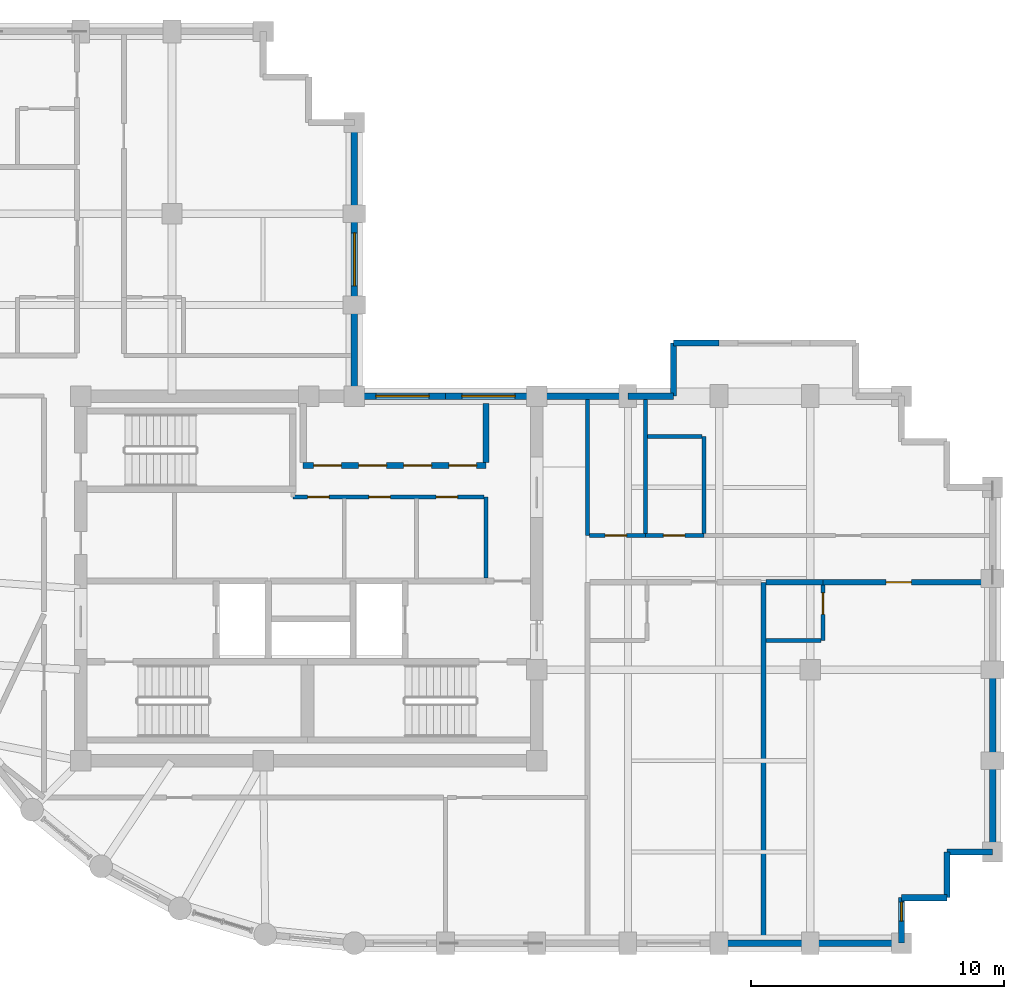
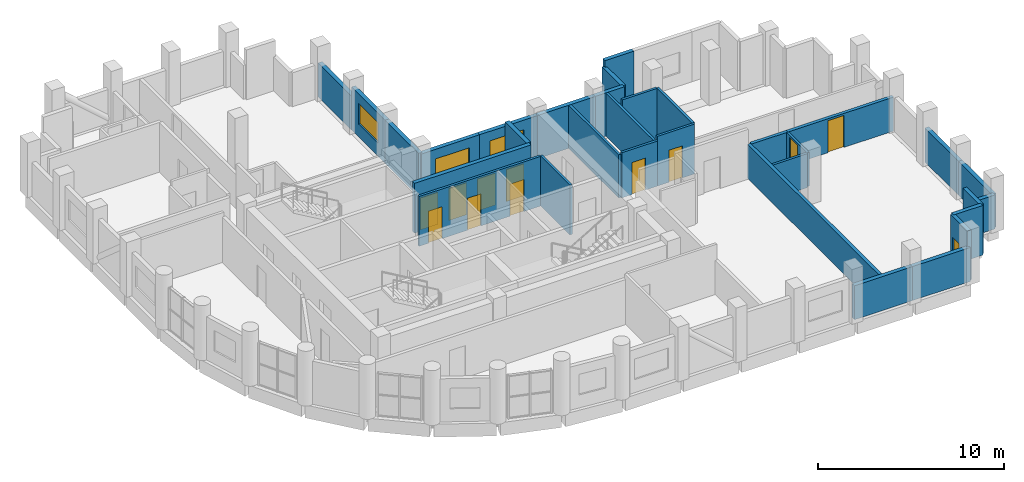
# One storey, part 9 of 11: 32 walls, 11 doors, 4 windows, 15 openings.
"""IFC4 building model written with IfcOpenShell, lengths in metres."""

import ifcopenshell
import ifcopenshell.guid

model = None  # the IFC model being written
_history = None  # IfcOwnerHistory: only IFC2X3 demands one
_inside = {}  # id of a spatial element -> (the spatial element, [elements in it])
_under = {}  # id of a project, library or spatial element -> (it, [spatial elements below it])
_declared = {}  # id of a project -> (the project, [libraries it declares])
_typed = {}  # id of a type object -> (the type object, [elements of that type])
_made_of = {}  # id of a material, layer set ... -> (it, [elements and type objects made of it])


def new_model(schema):
    """Start an empty IFC model of exactly this schema.

    Asked for "IFC4X3", IfcOpenShell would pick the latest addendum, in which some entities
    have other attributes; the version numbers below select the first issue.
    IFC2X3 requires an IfcOwnerHistory on every rooted entity: one is made here for all.
    """
    global model, _history
    if schema == "IFC4X3":
        model = ifcopenshell.file(schema_version=(4, 3, 0, 0))
    else:
        model = ifcopenshell.file(schema=schema)
    _inside.clear()
    _under.clear()
    _declared.clear()
    _typed.clear()
    _made_of.clear()
    _history = None
    if model.schema == "IFC2X3":
        org = make("IfcOrganization", Name="unknown")
        user = make(
            "IfcPersonAndOrganization",
            ThePerson=make("IfcPerson", FamilyName="unknown"),
            TheOrganization=org,
        )
        app = make(
            "IfcApplication",
            ApplicationDeveloper=org,
            Version="unknown",
            ApplicationFullName="unknown",
            ApplicationIdentifier="unknown",
        )
        _history = make(
            "IfcOwnerHistory",
            OwningUser=user,
            OwningApplication=app,
            ChangeAction="ADDED",
            CreationDate=0,
        )
    return model


def make(cls, **values):
    """One entity of the class cls with the attributes given. An attribute that is None is left unset."""
    return model.create_entity(
        cls, **{name: value for name, value in values.items() if value is not None}
    )


def rooted(cls, **values):
    """An entity with a GlobalId (a new one), such as an element, a storey or a relation."""
    return make(cls, GlobalId=ifcopenshell.guid.new(), OwnerHistory=_history, **values)


def si_unit(unit_type, name, prefix=None):
    """IfcSIUnit, for example si_unit("LENGTHUNIT", "METRE", prefix="MILLI")."""
    return make("IfcSIUnit", UnitType=unit_type, Prefix=prefix, Name=name)


def assignment(units):
    """IfcUnitAssignment: the units of a project."""
    return None if units is None else make("IfcUnitAssignment", Units=units)


def point(xyz):
    """IfcCartesianPoint."""
    return None if xyz is None else make("IfcCartesianPoint", Coordinates=xyz)


def direction(xyz):
    """IfcDirection."""
    return None if xyz is None else make("IfcDirection", DirectionRatios=xyz)


def frame(location, z_axis=None, x_axis=None):
    """IfcAxis2Placement3D, a coordinate frame: its origin and axes. An axis left out is left unset."""
    return make(
        "IfcAxis2Placement3D",
        Location=point(location),
        Axis=direction(z_axis),
        RefDirection=direction(x_axis),
    )


def frame_2d(location, x_axis=None):
    """IfcAxis2Placement2D, a coordinate frame in the plane: its origin and x axis."""
    return make(
        "IfcAxis2Placement2D", Location=point(location), RefDirection=direction(x_axis)
    )


def origin():
    """The frame at (0, 0, 0) with its axes left unset."""
    return frame((0.0, 0.0, 0.0))


def place(relative_to, where):
    """IfcLocalPlacement: puts the frame where relative to a parent placement (None: the world)."""
    return make(
        "IfcLocalPlacement", PlacementRelTo=relative_to, RelativePlacement=where
    )


def context(
    kind, dimensions, precision=None, world=None, true_north=None, identifier=None
):
    """IfcGeometricRepresentationContext, for example the 3D "Model" context."""
    return make(
        "IfcGeometricRepresentationContext",
        ContextIdentifier=identifier,
        ContextType=kind,
        CoordinateSpaceDimension=dimensions,
        Precision=precision,
        WorldCoordinateSystem=world,
        TrueNorth=true_north,
    )


def subcontext(parent, identifier, kind, view, scale=None):
    """IfcGeometricRepresentationSubContext, for example "Body" below "Model"."""
    return make(
        "IfcGeometricRepresentationSubContext",
        ContextIdentifier=identifier,
        ContextType=kind,
        ParentContext=parent,
        TargetScale=scale,
        TargetView=view,
    )


def project(units=None, contexts=None):
    """IfcProject with its units and contexts."""
    return rooted(
        "IfcProject",
        Name="project",
        RepresentationContexts=contexts,
        UnitsInContext=assignment(units),
    )


def spatial(cls, under=None, at=None, **own):
    """A site, building, storey or space (cls), placed at a placement, below another one or the project."""
    s = rooted(cls, ObjectPlacement=at, **own)
    if under is not None:
        _under.setdefault(under.id(), (under, []))[1].append(s)
    return s


def profile(cls, at=None, kind="AREA", **sizes):
    """A parametric profile (cls). Its sizes go by their IFC names, for example OverallWidth=200.0."""
    return make(cls, ProfileType=kind, Position=at, **sizes)


def rectangle(**sizes):
    """IfcRectangleProfileDef."""
    return profile("IfcRectangleProfileDef", **sizes)


def extrude(swept, where, along, depth):
    """IfcExtrudedAreaSolid: the profile swept, set in the frame where, extruded along a direction by depth."""
    return make(
        "IfcExtrudedAreaSolid",
        SweptArea=swept,
        Position=where,
        ExtrudedDirection=direction(along),
        Depth=depth,
    )


def shape(context_of_items, identifier, shape_type, items):
    """IfcShapeRepresentation: the items that make up one representation, for example the "Body"."""
    return make(
        "IfcShapeRepresentation",
        ContextOfItems=context_of_items,
        RepresentationIdentifier=identifier,
        RepresentationType=shape_type,
        Items=items,
    )


def material(Name=None, Category=None):
    """IfcMaterial."""
    return make("IfcMaterial", Name=Name, Category=Category)


def layer(
    of_material, thickness, ventilated=None, Name=None, Category=None, Priority=None
):
    """IfcMaterialLayer: one layer of a wall or slab, of a material (None: an air gap)."""
    return make(
        "IfcMaterialLayer",
        Material=of_material,
        LayerThickness=thickness,
        IsVentilated=ventilated,
        Name=Name,
        Category=Category,
        Priority=Priority,
    )


def layer_set(layers, Name=None):
    """IfcMaterialLayerSet."""
    return make("IfcMaterialLayerSet", MaterialLayers=layers, LayerSetName=Name)


def made_of(thing, what):
    """Note that an element or type object is made of a material, layer set ...; save() writes the relation."""
    if what is not None:
        _made_of.setdefault(what.id(), (what, []))[1].append(thing)
    return thing


def type_object(cls, material=None, **own):
    """A type object (cls), such as IfcWallType, which elements share."""
    return made_of(rooted(cls, **own), material)


def element(
    cls,
    number,
    at=None,
    inside=None,
    cuts=None,
    type_object=None,
    material=None,
    context=None,
    identifier="Body",
    shape_type=None,
    held_by="IfcProductDefinitionShape",
    body=None,
    shapes=None,
    **own,
):
    """One element of the class cls, such as IfcWall. Its Tag is "e" and its number.

    at: its placement. inside: the storey or other place that contains it. cuts: it is an
    opening in that element (IfcRelVoidsElement). A single representation is given by context,
    identifier, shape_type and body (its items); several are given by shapes. held_by: the class
    of the entity that holds the representations. save() writes the other relations.
    """
    e = rooted(cls, Tag="e%d" % number, ObjectPlacement=at, **own)
    if body is not None:
        shapes = [shape(context, identifier, shape_type, body)]
    if shapes is not None:
        e.Representation = make(held_by, Representations=shapes)
    if inside is not None:
        _inside.setdefault(inside.id(), (inside, []))[1].append(e)
    if cuts is not None:
        rooted(
            "IfcRelVoidsElement", RelatingBuildingElement=cuts, RelatedOpeningElement=e
        )
    if type_object is not None:
        _typed.setdefault(type_object.id(), (type_object, []))[1].append(e)
    return made_of(e, material)


def fill(opening, filler):
    """IfcRelFillsElement: the door or window that sits in an opening."""
    return rooted(
        "IfcRelFillsElement",
        RelatingOpeningElement=opening,
        RelatedBuildingElement=filler,
    )


def aggregate(whole, parts):
    """IfcRelAggregates: a whole, such as a stair, and the parts it consists of."""
    return rooted("IfcRelAggregates", RelatingObject=whole, RelatedObjects=parts)


def save(model, path):
    """Write the relations noted so far, then the file.

    IfcRelAggregates (storeys below a building ...), IfcRelContainedInSpatialStructure (elements
    in a storey), IfcRelDefinesByType, IfcRelAssociatesMaterial and IfcRelDeclares: one each for
    every whole, place, type object, material and project.
    """
    for whole, parts in _under.values():
        aggregate(whole, parts)
    for where, things in _inside.values():
        rooted(
            "IfcRelContainedInSpatialStructure",
            RelatedElements=things,
            RelatingStructure=where,
        )
    for kind, things in _typed.values():
        rooted("IfcRelDefinesByType", RelatedObjects=things, RelatingType=kind)
    for what, things in _made_of.values():
        rooted("IfcRelAssociatesMaterial", RelatedObjects=things, RelatingMaterial=what)
    for by, libraries in _declared.values():
        rooted("IfcRelDeclares", RelatingContext=by, RelatedDefinitions=libraries)
    model.write(path)


model = new_model("IFC4")

# Units and contexts
model_context = context("Model", 3, precision=1e-05, world=origin(), true_north=direction((0.0, 1.0)))
body_context = subcontext(model_context, "Body", "Model", "MODEL_VIEW")
ifc_project = project(units=[si_unit("LENGTHUNIT", "METRE"), si_unit("AREAUNIT", "SQUARE_METRE"), si_unit("VOLUMEUNIT", "CUBIC_METRE"), si_unit("PLANEANGLEUNIT", "RADIAN"), si_unit("MASSUNIT", "GRAM", prefix="KILO")], contexts=[model_context])

# Site, building, storey
site_placement = place(None, origin())
site = spatial("IfcSite", under=ifc_project, at=site_placement, CompositionType="ELEMENT")
building_placement = place(site_placement, origin())
building = spatial("IfcBuilding", under=site, at=building_placement, Name="Solnavia Interchange Tower", CompositionType="ELEMENT")
storey_placement = place(building_placement, frame((0.0, 0.0, 217.39990234375)))
storey = spatial("IfcBuildingStorey", under=building, at=storey_placement, Name="L54", CompositionType="ELEMENT", Elevation=217.39990234375)

# Walls
ifc_material_1 = material(Name="Gypsum Acoustic Twin-Stud & Mineral Wool", Category="gypsum")
ifc_layer_1 = layer(ifc_material_1, 0.199951171875)
ifc_layer_set_1 = layer_set([ifc_layer_1], Name="Gypsum Acoustic Twin-Stud & Mineral Wool")
wall_type_1 = type_object("IfcWallType", Name="Wall-ApartmentParty-200", PredefinedType="PARTITIONING", material=ifc_layer_set_1)
wall_1_placement = place(storey_placement, frame((41.35009765625, 3.72900390625, 0.0), z_axis=(0.0, 0.0, 1.0), x_axis=(0.0, 1.0, 0.0)))
element("IfcWall", 1, at=wall_1_placement, inside=storey, type_object=wall_type_1, Name="PTW-L54-16 Interior partition wall", PredefinedType="PARTITIONING", context=body_context, shape_type="SweptSolid", body=[
    extrude(rectangle(XDim=14.12109375, YDim=0.199951171875, at=frame_2d((7.060546875, 0.0))), origin(), (0.0, 0.0, 1.0), 2.22998046875),
])
wall_2_placement = place(storey_placement, frame((41.4541015625, 17.85009765625, 0.0), z_axis=(0.0, 0.0, 1.0), x_axis=(1.0, 0.0, 0.0)))
element("IfcWall", 2, at=wall_2_placement, inside=storey, type_object=wall_type_1, Name="PTW-L54-21 Interior partition wall", PredefinedType="PARTITIONING", context=body_context, shape_type="SweptSolid", body=[
    extrude(rectangle(XDim=2.245849609375, YDim=0.199951171875, at=frame_2d((1.123046875, 0.0))), origin(), (0.0, 0.0, 1.0), 2.22998046875),
])

# Wall, opening, door
wall_3_placement = place(storey_placement, frame((43.699951171875, 17.85009765625, 0.0), z_axis=(0.0, 0.0, 1.0), x_axis=(1.0, 0.0, 0.0)))
wall_3 = element("IfcWall", 3, at=wall_3_placement, inside=storey, type_object=wall_type_1, Name="PTW-L54-22 Interior partition wall", PredefinedType="PARTITIONING", context=body_context, shape_type="SweptSolid", body=[
    extrude(rectangle(XDim=6.571044921875, YDim=0.199951171875, at=frame_2d((3.28564453125, 0.0))), origin(), (0.0, 0.0, 1.0), 2.22998046875),
])
opening_1_placement = place(wall_3_placement, frame((2.493896484375, 0.0, 0.0)))
opening_1 = element("IfcOpeningElement", 4, at=opening_1_placement, cuts=wall_3, Name="Opening DR-06", PredefinedType="OPENING", context=body_context, shape_type="SweptSolid", body=[
    extrude(rectangle(XDim=1.0, YDim=2.10009765625, at=frame_2d((0.5, 1.050048828125))), frame((0.0, 0.10986328125, 0.0), z_axis=(0.0, -1.0, 0.0), x_axis=(1.0, 0.0, 0.0)), (0.0, 0.0, 1.0), 0.219970703125),
])
ifc_material_2 = material(Name="Engineered Timber Acoustic Fire Door", Category="wood")
door_type_1 = type_object("IfcDoorType", Name="Door-FlatEntry-1000x2100", OperationType="SINGLE_SWING_LEFT", PredefinedType="DOOR", material=ifc_material_2)
door_1_placement = place(opening_1_placement, origin())
door_1 = element("IfcDoor", 5, at=door_1_placement, inside=storey, type_object=door_type_1, Name="DR-L54-09 Interior room door", OperationType="SINGLE_SWING_LEFT", OverallHeight=2.10009765625, OverallWidth=1.0, PredefinedType="DOOR", context=body_context, shape_type="SweptSolid", body=[
    extrude(rectangle(XDim=1.0, YDim=2.10009765625, at=frame_2d((0.5, 1.050048828125))), frame((0.0, 0.02490234375, 0.0), z_axis=(0.0, -1.0, 0.0), x_axis=(1.0, 0.0, 0.0)), (0.0, 0.0, 1.0), 0.050048828125),
])
fill(opening_1, door_1)

# Walls
ifc_material_3 = material(Name="Concrete C40/50", Category="concrete")
ifc_layer_2 = layer(ifc_material_3, 0.25)
ifc_layer_set_2 = layer_set([ifc_layer_2], Name="Concrete C40/50")
wall_type_2 = type_object("IfcWallType", Name="Wall-ExtSpandrel-250", PredefinedType="STANDARD", material=ifc_layer_set_2)
wall_4_placement = place(storey_placement, frame((43.199951171875, 3.60009765625, 0.0), z_axis=(0.0, 0.0, 1.0), x_axis=(-1.0, 0.0, 0.0)))
element("IfcWall", 6, at=wall_4_placement, inside=storey, type_object=wall_type_2, Name="EXW-L54-05 Exterior precast spandrel wall", PredefinedType="STANDARD", context=body_context, shape_type="SweptSolid", body=[
    extrude(rectangle(XDim=3.599853515625, YDim=0.25, at=frame_2d((1.7998046875, 0.0))), origin(), (0.0, 0.0, 1.0), 2.22998046875),
])
wall_5_placement = place(storey_placement, frame((46.800048828125, 3.60009765625, 0.0), z_axis=(0.0, 0.0, 1.0), x_axis=(-1.0, 0.0, 0.0)))
element("IfcWall", 7, at=wall_5_placement, inside=storey, type_object=wall_type_2, Name="EXW-L54-06 Exterior precast spandrel wall", PredefinedType="STANDARD", context=body_context, shape_type="SweptSolid", body=[
    extrude(rectangle(XDim=3.60009765625, YDim=0.25, at=frame_2d((1.800048828125, 0.0))), origin(), (0.0, 0.0, 1.0), 2.22998046875),
])

# Wall, opening, window
wall_6_placement = place(storey_placement, frame((46.800048828125, 5.39990234375, 0.0), z_axis=(0.0, 0.0, 1.0), x_axis=(0.0, -1.0, 0.0)))
wall_6 = element("IfcWall", 8, at=wall_6_placement, inside=storey, type_object=wall_type_2, Name="EXW-L54-07 Exterior precast spandrel wall", PredefinedType="STANDARD", context=body_context, shape_type="SweptSolid", body=[
    extrude(rectangle(XDim=1.7998046875, YDim=0.25, at=frame_2d((0.89990234375, 0.0))), origin(), (0.0, 0.0, 1.0), 3.26513671875),
])
opening_2_placement = place(wall_6_placement, frame((0.179931640625, 0.0, 0.85009765625)))
opening_2 = element("IfcOpeningElement", 9, at=opening_2_placement, cuts=wall_6, Name="Opening WIN-08", PredefinedType="OPENING", context=body_context, shape_type="SweptSolid", body=[
    extrude(rectangle(XDim=0.75, YDim=1.050048828125, at=frame_2d((0.375, 0.52490234375))), frame((0.0, 0.135009765625, 0.0), z_axis=(0.0, -1.0, 0.0), x_axis=(1.0, 0.0, 0.0)), (0.0, 0.0, 1.0), 0.27001953125),
])
ifc_material_4 = material(Name="Thermal-Break Aluminium & Low-E Glass", Category="aluminium")
window_type_1 = type_object("IfcWindowType", Name="Window-Bedroom-750x1050", PartitioningType="SINGLE_PANEL", PredefinedType="WINDOW", material=ifc_material_4)
window_1_placement = place(opening_2_placement, origin())
window_1 = element("IfcWindow", 10, at=window_1_placement, inside=storey, type_object=window_type_1, Name="WIN-L54-DW01 Dwelling bedroom window", OverallHeight=1.050048828125, OverallWidth=0.75, PartitioningType="SINGLE_PANEL", PredefinedType="WINDOW", context=body_context, shape_type="SweptSolid", body=[
    extrude(rectangle(XDim=0.75, YDim=1.050048828125, at=frame_2d((0.375, 0.52490234375))), frame((0.0, 0.030029296875, 0.0), z_axis=(0.0, -1.0, 0.0), x_axis=(1.0, 0.0, 0.0)), (0.0, 0.0, 1.0), 0.06005859375),
])
fill(opening_2, window_1)

# Walls
for number, where, z_axis, x_axis, name in (
    (11, (48.60009765625, 5.39990234375, 0.0), (0.0, 0.0, 1.0), (-1.0, 0.0, 0.0), "EXW-L54-08 Exterior precast spandrel wall"),
    (12, (48.60009765625, 7.199951171875, 0.0), (0.0, 0.0, 1.0), (0.0, -1.0, 0.0), "EXW-L54-09 Exterior precast spandrel wall"),
):
    element("IfcWall", number, at=place(storey_placement, frame(where, z_axis=z_axis, x_axis=x_axis)), inside=storey, type_object=wall_type_2, Name=name, PredefinedType="STANDARD", context=body_context, shape_type="SweptSolid", body=[
        extrude(rectangle(XDim=1.800048828125, YDim=0.25, at=frame_2d((0.89990234375, 0.0))), origin(), (0.0, 0.0, 1.0), 3.26513671875),
    ])
wall_7_placement = place(storey_placement, frame((50.39990234375, 7.199951171875, 0.0), z_axis=(0.0, 0.0, 1.0), x_axis=(-1.0, 0.0, 0.0)))
element("IfcWall", 13, at=wall_7_placement, inside=storey, type_object=wall_type_2, Name="EXW-L54-10 Exterior precast spandrel wall", PredefinedType="STANDARD", context=body_context, shape_type="SweptSolid", body=[
    extrude(rectangle(XDim=1.7998046875, YDim=0.25, at=frame_2d((0.89990234375, 0.0))), origin(), (0.0, 0.0, 1.0), 2.22998046875),
])
wall_8_placement = place(storey_placement, frame((50.39990234375, 10.800048828125, 0.0), z_axis=(0.0, 0.0, 1.0), x_axis=(0.0, -1.0, 0.0)))
element("IfcWall", 14, at=wall_8_placement, inside=storey, type_object=wall_type_2, Name="EXW-L54-11 Exterior precast spandrel wall", PredefinedType="STANDARD", context=body_context, shape_type="SweptSolid", body=[
    extrude(rectangle(XDim=3.60009765625, YDim=0.25, at=frame_2d((1.800048828125, 0.0))), origin(), (0.0, 0.0, 1.0), 2.22998046875),
])
wall_9_placement = place(storey_placement, frame((50.39990234375, 14.39990234375, 0.0), z_axis=(0.0, 0.0, 1.0), x_axis=(0.0, -1.0, 0.0)))
element("IfcWall", 15, at=wall_9_placement, inside=storey, type_object=wall_type_2, Name="EXW-L54-12 Exterior precast spandrel wall", PredefinedType="STANDARD", context=body_context, shape_type="SweptSolid", body=[
    extrude(rectangle(XDim=3.599853515625, YDim=0.25, at=frame_2d((1.7998046875, 0.0))), origin(), (0.0, 0.0, 1.0), 2.22998046875),
])
wall_10_placement = place(storey_placement, frame((37.800048828125, 27.300048828125, 0.0), z_axis=(0.0, 0.0, 1.0), x_axis=(1.0, 0.0, 0.0)))
element("IfcWall", 16, at=wall_10_placement, inside=storey, type_object=wall_type_2, Name="EXW-L54-23 Exterior precast spandrel wall", PredefinedType="STANDARD", context=body_context, shape_type="SweptSolid", body=[
    extrude(rectangle(XDim=1.800048828125, YDim=0.25, at=frame_2d((0.89990234375, 0.0))), origin(), (0.0, 0.0, 1.0), 3.26513671875),
])
wall_11_placement = place(storey_placement, frame((37.800048828125, 27.300048828125, 0.0), z_axis=(0.0, 0.0, 1.0), x_axis=(0.0, -1.0, 0.0)))
element("IfcWall", 17, at=wall_11_placement, inside=storey, type_object=wall_type_2, Name="EXW-L54-24 Exterior precast spandrel wall", PredefinedType="STANDARD", context=body_context, shape_type="SweptSolid", body=[
    extrude(rectangle(XDim=2.10009765625, YDim=0.25, at=frame_2d((1.050048828125, 0.0))), origin(), (0.0, 0.0, 1.0), 2.830078125),
])
wall_12_placement = place(storey_placement, frame((36.0, 25.199951171875, 0.0), z_axis=(0.0, 0.0, 1.0), x_axis=(1.0, 0.0, 0.0)))
element("IfcWall", 18, at=wall_12_placement, inside=storey, type_object=wall_type_2, Name="EXW-L54-25 Exterior precast spandrel wall", PredefinedType="STANDARD", context=body_context, shape_type="SweptSolid", body=[
    extrude(rectangle(XDim=1.800048828125, YDim=0.25, at=frame_2d((0.89990234375, 0.0))), origin(), (0.0, 0.0, 1.0), 2.830078125),
])
wall_13_placement = place(storey_placement, frame((32.39990234375, 25.199951171875, 0.0), z_axis=(0.0, 0.0, 1.0), x_axis=(1.0, 0.0, 0.0)))
element("IfcWall", 19, at=wall_13_placement, inside=storey, type_object=wall_type_2, Name="EXW-L54-26 Exterior precast spandrel wall", PredefinedType="STANDARD", context=body_context, shape_type="SweptSolid", body=[
    extrude(rectangle(XDim=3.60009765625, YDim=0.25, at=frame_2d((1.800048828125, 0.0))), origin(), (0.0, 0.0, 1.0), 2.830078125),
])

# Wall, opening, window
wall_14_placement = place(storey_placement, frame((28.800048828125, 25.199951171875, 0.0), z_axis=(0.0, 0.0, 1.0), x_axis=(1.0, 0.0, 0.0)))
wall_14 = element("IfcWall", 20, at=wall_14_placement, inside=storey, type_object=wall_type_2, Name="EXW-L54-27 Exterior precast spandrel wall", PredefinedType="STANDARD", context=body_context, shape_type="SweptSolid", body=[
    extrude(rectangle(XDim=3.599853515625, YDim=0.25, at=frame_2d((1.7998046875, 0.0))), origin(), (0.0, 0.0, 1.0), 2.830078125),
])
opening_3_placement = place(wall_14_placement, frame((0.64501953125, 0.0, 0.85009765625)))
opening_3 = element("IfcOpeningElement", 21, at=opening_3_placement, cuts=wall_14, Name="Opening WIN-01", PredefinedType="OPENING", context=body_context, shape_type="SweptSolid", body=[
    extrude(rectangle(XDim=2.10009765625, YDim=1.35009765625, at=frame_2d((1.050048828125, 0.675048828125))), frame((0.0, 0.135009765625, 0.0), z_axis=(0.0, -1.0, 0.0), x_axis=(1.0, 0.0, 0.0)), (0.0, 0.0, 1.0), 0.27001953125),
])
window_type_2 = type_object("IfcWindowType", Name="Window-Ribbon-2100x1350", PartitioningType="SINGLE_PANEL", PredefinedType="WINDOW", material=ifc_material_4)
window_2_placement = place(opening_3_placement, origin())
window_2 = element("IfcWindow", 22, at=window_2_placement, inside=storey, type_object=window_type_2, Name="WIN-L54-27 Facade ribbon window", OverallHeight=1.35009765625, OverallWidth=2.10009765625, PartitioningType="SINGLE_PANEL", PredefinedType="WINDOW", context=body_context, shape_type="SweptSolid", body=[
    extrude(rectangle(XDim=2.10009765625, YDim=1.35009765625, at=frame_2d((1.050048828125, 0.675048828125))), frame((0.0, 0.030029296875, 0.0), z_axis=(0.0, -1.0, 0.0), x_axis=(1.0, 0.0, 0.0)), (0.0, 0.0, 1.0), 0.06005859375),
])
fill(opening_3, window_2)

wall_15_placement = place(storey_placement, frame((25.199951171875, 25.199951171875, 0.0), z_axis=(0.0, 0.0, 1.0), x_axis=(1.0, 0.0, 0.0)))
wall_15 = element("IfcWall", 23, at=wall_15_placement, inside=storey, type_object=wall_type_2, Name="EXW-L54-28 Exterior precast spandrel wall", PredefinedType="STANDARD", context=body_context, shape_type="SweptSolid", body=[
    extrude(rectangle(XDim=3.60009765625, YDim=0.25, at=frame_2d((1.800048828125, 0.0))), origin(), (0.0, 0.0, 1.0), 2.830078125),
])
opening_4_placement = place(wall_15_placement, frame((0.85498046875, 0.0, 0.85009765625)))
opening_4 = element("IfcOpeningElement", 24, at=opening_4_placement, cuts=wall_15, Name="Opening WIN-01", PredefinedType="OPENING", context=body_context, shape_type="SweptSolid", body=[
    extrude(rectangle(XDim=2.10009765625, YDim=1.35009765625, at=frame_2d((1.050048828125, 0.675048828125))), frame((0.0, 0.135009765625, 0.0), z_axis=(0.0, -1.0, 0.0), x_axis=(1.0, 0.0, 0.0)), (0.0, 0.0, 1.0), 0.27001953125),
])
window_3_placement = place(opening_4_placement, origin())
window_3 = element("IfcWindow", 25, at=window_3_placement, inside=storey, type_object=window_type_2, Name="WIN-L54-28 Facade ribbon window", OverallHeight=1.35009765625, OverallWidth=2.10009765625, PartitioningType="SINGLE_PANEL", PredefinedType="WINDOW", context=body_context, shape_type="SweptSolid", body=[
    extrude(rectangle(XDim=2.10009765625, YDim=1.35009765625, at=frame_2d((1.050048828125, 0.675048828125))), frame((0.0, 0.030029296875, 0.0), z_axis=(0.0, -1.0, 0.0), x_axis=(1.0, 0.0, 0.0)), (0.0, 0.0, 1.0), 0.06005859375),
])
fill(opening_4, window_3)

# Wall
wall_16_placement = place(storey_placement, frame((25.199951171875, 25.199951171875, 0.0), z_axis=(0.0, 0.0, 1.0), x_axis=(0.0, 1.0, 0.0)))
element("IfcWall", 26, at=wall_16_placement, inside=storey, type_object=wall_type_2, Name="EXW-L54-29 Exterior precast spandrel wall", PredefinedType="STANDARD", context=body_context, shape_type="SweptSolid", body=[
    extrude(rectangle(XDim=3.60009765625, YDim=0.25, at=frame_2d((1.800048828125, 0.0))), origin(), (0.0, 0.0, 1.0), 2.830078125),
])

# Wall, opening, window
wall_17_placement = place(storey_placement, frame((25.199951171875, 28.800048828125, 0.0), z_axis=(0.0, 0.0, 1.0), x_axis=(0.0, 1.0, 0.0)))
wall_17 = element("IfcWall", 27, at=wall_17_placement, inside=storey, type_object=wall_type_2, Name="EXW-L54-30 Exterior precast spandrel wall", PredefinedType="STANDARD", context=body_context, shape_type="SweptSolid", body=[
    extrude(rectangle(XDim=3.599853515625, YDim=0.25, at=frame_2d((1.7998046875, 0.0))), origin(), (0.0, 0.0, 1.0), 2.830078125),
])
opening_5_placement = place(wall_17_placement, frame((0.75, 0.0, 0.85009765625)))
opening_5 = element("IfcOpeningElement", 28, at=opening_5_placement, cuts=wall_17, Name="Opening WIN-01", PredefinedType="OPENING", context=body_context, shape_type="SweptSolid", body=[
    extrude(rectangle(XDim=2.10009765625, YDim=1.35009765625, at=frame_2d((1.050048828125, 0.675048828125))), frame((0.0, 0.135009765625, 0.0), z_axis=(0.0, -1.0, 0.0), x_axis=(1.0, 0.0, 0.0)), (0.0, 0.0, 1.0), 0.27001953125),
])
window_4_placement = place(opening_5_placement, origin())
window_4 = element("IfcWindow", 29, at=window_4_placement, inside=storey, type_object=window_type_2, Name="WIN-L54-30 Facade ribbon window", OverallHeight=1.35009765625, OverallWidth=2.10009765625, PartitioningType="SINGLE_PANEL", PredefinedType="WINDOW", context=body_context, shape_type="SweptSolid", body=[
    extrude(rectangle(XDim=2.10009765625, YDim=1.35009765625, at=frame_2d((1.050048828125, 0.675048828125))), frame((0.0, 0.030029296875, 0.0), z_axis=(0.0, -1.0, 0.0), x_axis=(1.0, 0.0, 0.0)), (0.0, 0.0, 1.0), 0.06005859375),
])
fill(opening_5, window_4)

# Wall
wall_18_placement = place(storey_placement, frame((25.199951171875, 32.39990234375, 0.0), z_axis=(0.0, 0.0, 1.0), x_axis=(0.0, 1.0, 0.0)))
element("IfcWall", 30, at=wall_18_placement, inside=storey, type_object=wall_type_2, Name="EXW-L54-31 Exterior precast spandrel wall", PredefinedType="STANDARD", context=body_context, shape_type="SweptSolid", body=[
    extrude(rectangle(XDim=3.60009765625, YDim=0.25, at=frame_2d((1.800048828125, 0.0))), origin(), (0.0, 0.0, 1.0), 2.22998046875),
])

# Wall, openings, doors
ifc_material_5 = material(Name="Gypsum Plasterboard & Steel Stud", Category="steel")
ifc_layer_3 = layer(ifc_material_5, 0.14990234375)
ifc_layer_set_3 = layer_set([ifc_layer_3], Name="Gypsum Plasterboard & Steel Stud")
wall_type_3 = type_object("IfcWallType", Name="Wall-Partition-150", PredefinedType="PARTITIONING", material=ifc_layer_set_3)
wall_19_placement = place(storey_placement, frame((22.77490234375, 21.219970703125, 0.0), z_axis=(0.0, 0.0, 1.0), x_axis=(1.0, 0.0, 0.0)))
wall_19 = element("IfcWall", 31, at=wall_19_placement, inside=storey, type_object=wall_type_3, Name="CSW-L54-N-ALL Core shaft wall", PredefinedType="PARTITIONING", context=body_context, shape_type="SweptSolid", body=[
    extrude(rectangle(XDim=7.545166015625, YDim=0.14990234375, at=frame_2d((3.7724609375, 0.0))), origin(), (0.0, 0.0, 1.0), 3.26513671875),
])
opening_6_placement = place(wall_19_placement, frame((0.580078125, 0.0, 0.0)))
opening_6 = element("IfcOpeningElement", 32, at=opening_6_placement, cuts=wall_19, Name="Opening DR-10", PredefinedType="OPENING", context=body_context, shape_type="SweptSolid", body=[
    extrude(rectangle(XDim=0.85009765625, YDim=2.10009765625, at=frame_2d((0.425048828125, 1.050048828125))), frame((0.0, 0.0849609375, 0.0), z_axis=(0.0, -1.0, 0.0), x_axis=(1.0, 0.0, 0.0)), (0.0, 0.0, 1.0), 0.169921875),
])
opening_7_placement = place(wall_19_placement, frame((3.0, 0.0, 0.0)))
opening_7 = element("IfcOpeningElement", 33, at=opening_7_placement, cuts=wall_19, Name="Opening DR-10", PredefinedType="OPENING", context=body_context, shape_type="SweptSolid", body=[
    extrude(rectangle(XDim=0.85009765625, YDim=2.10009765625, at=frame_2d((0.425048828125, 1.050048828125))), frame((0.0, 0.0849609375, 0.0), z_axis=(0.0, -1.0, 0.0), x_axis=(1.0, 0.0, 0.0)), (0.0, 0.0, 1.0), 0.169921875),
])
opening_8_placement = place(wall_19_placement, frame((5.64990234375, 0.0, 0.0)))
opening_8 = element("IfcOpeningElement", 34, at=opening_8_placement, cuts=wall_19, Name="Opening DR-10", PredefinedType="OPENING", context=body_context, shape_type="SweptSolid", body=[
    extrude(rectangle(XDim=0.85009765625, YDim=2.10009765625, at=frame_2d((0.425048828125, 1.050048828125))), frame((0.0, 0.0849609375, 0.0), z_axis=(0.0, -1.0, 0.0), x_axis=(1.0, 0.0, 0.0)), (0.0, 0.0, 1.0), 0.169921875),
])
ifc_material_6 = material(Name="Moisture-Resistant Timber Door", Category="wood")
door_type_2 = type_object("IfcDoorType", Name="Door-Bathroom-850x2100", OperationType="SINGLE_SWING_RIGHT", PredefinedType="DOOR", material=ifc_material_6)
door_2_placement = place(opening_6_placement, origin())
door_2 = element("IfcDoor", 35, at=door_2_placement, inside=storey, type_object=door_type_2, Name="DR-L54-CS2 Core fire door", OperationType="SINGLE_SWING_LEFT", OverallHeight=2.10009765625, OverallWidth=0.85009765625, PredefinedType="DOOR", context=body_context, shape_type="SweptSolid", body=[
    extrude(rectangle(XDim=0.85009765625, YDim=2.10009765625, at=frame_2d((0.425048828125, 1.050048828125))), frame((0.0, 0.02490234375, 0.0), z_axis=(0.0, -1.0, 0.0), x_axis=(1.0, 0.0, 0.0)), (0.0, 0.0, 1.0), 0.050048828125),
])
fill(opening_6, door_2)
door_3_placement = place(opening_7_placement, origin())
door_3 = element("IfcDoor", 36, at=door_3_placement, inside=storey, type_object=door_type_2, Name="DR-L54-CS3 Core fire door", OperationType="SINGLE_SWING_LEFT", OverallHeight=2.10009765625, OverallWidth=0.85009765625, PredefinedType="DOOR", context=body_context, shape_type="SweptSolid", body=[
    extrude(rectangle(XDim=0.85009765625, YDim=2.10009765625, at=frame_2d((0.425048828125, 1.050048828125))), frame((0.0, 0.02490234375, 0.0), z_axis=(0.0, -1.0, 0.0), x_axis=(1.0, 0.0, 0.0)), (0.0, 0.0, 1.0), 0.050048828125),
])
fill(opening_7, door_3)
door_4_placement = place(opening_8_placement, origin())
door_4 = element("IfcDoor", 37, at=door_4_placement, inside=storey, type_object=door_type_2, Name="DR-L54-CS4 Core fire door", OperationType="SINGLE_SWING_RIGHT", OverallHeight=2.10009765625, OverallWidth=0.85009765625, PredefinedType="DOOR", context=body_context, shape_type="SweptSolid", body=[
    extrude(rectangle(XDim=0.85009765625, YDim=2.10009765625, at=frame_2d((0.425048828125, 1.050048828125))), frame((0.0, 0.02490234375, 0.0), z_axis=(0.0, -1.0, 0.0), x_axis=(1.0, 0.0, 0.0)), (0.0, 0.0, 1.0), 0.050048828125),
])
fill(opening_8, door_4)

# Wall
wall_20_placement = place(storey_placement, frame((30.39990234375, 18.02001953125, 0.0), z_axis=(0.0, 0.0, 1.0), x_axis=(0.0, 1.0, 0.0)))
element("IfcWall", 38, at=wall_20_placement, inside=storey, type_object=wall_type_3, Name="CSW-L54-E-E Core shaft wall", PredefinedType="PARTITIONING", context=body_context, shape_type="SweptSolid", body=[
    extrude(rectangle(XDim=3.199951171875, YDim=0.14990234375, at=frame_2d((1.60009765625, 0.0))), origin(), (0.0, 0.0, 1.0), 3.26513671875),
])

# Wall, openings, doors
ifc_layer_4 = layer(ifc_material_3, 0.25)
ifc_layer_set_4 = layer_set([ifc_layer_4], Name="Concrete C40/50")
wall_type_4 = type_object("IfcWallType", Name="Wall-ShaftPart-250", PredefinedType="PARTITIONING", material=ifc_layer_set_4)
wall_21_placement = place(storey_placement, frame((23.179931640625, 22.4599609375, 0.0), z_axis=(0.0, 0.0, 1.0), x_axis=(1.0, 0.0, 0.0)))
wall_21 = element("IfcWall", 39, at=wall_21_placement, inside=storey, type_object=wall_type_4, Name="SHW-L54-B3S Core shaft wall", PredefinedType="PARTITIONING", context=body_context, shape_type="SweptSolid", body=[
    extrude(rectangle(XDim=7.219970703125, YDim=0.25, at=frame_2d((3.60986328125, 0.0))), origin(), (0.0, 0.0, 1.0), 3.26513671875),
])
opening_9_placement = place(wall_21_placement, frame((0.409912109375, 0.0, 0.0)))
opening_9 = element("IfcOpeningElement", 40, at=opening_9_placement, cuts=wall_21, Name="Opening LD-01", PredefinedType="OPENING", context=body_context, shape_type="SweptSolid", body=[
    extrude(rectangle(XDim=1.10009765625, YDim=2.10009765625, at=frame_2d((0.550048828125, 1.050048828125))), frame((0.0, 0.135009765625, 0.0), z_axis=(0.0, -1.0, 0.0), x_axis=(1.0, 0.0, 0.0)), (0.0, 0.0, 1.0), 0.27001953125),
])
opening_10_placement = place(wall_21_placement, frame((2.18994140625, 0.0, 0.0)))
opening_10 = element("IfcOpeningElement", 41, at=opening_10_placement, cuts=wall_21, Name="Opening LD-01", PredefinedType="OPENING", context=body_context, shape_type="SweptSolid", body=[
    extrude(rectangle(XDim=1.10009765625, YDim=2.10009765625, at=frame_2d((0.550048828125, 1.050048828125))), frame((0.0, 0.135009765625, 0.0), z_axis=(0.0, -1.0, 0.0), x_axis=(1.0, 0.0, 0.0)), (0.0, 0.0, 1.0), 0.27001953125),
])
opening_11_placement = place(wall_21_placement, frame((3.969970703125, 0.0, 0.0)))
opening_11 = element("IfcOpeningElement", 42, at=opening_11_placement, cuts=wall_21, Name="Opening LD-01", PredefinedType="OPENING", context=body_context, shape_type="SweptSolid", body=[
    extrude(rectangle(XDim=1.10009765625, YDim=2.10009765625, at=frame_2d((0.550048828125, 1.050048828125))), frame((0.0, 0.135009765625, 0.0), z_axis=(0.0, -1.0, 0.0), x_axis=(1.0, 0.0, 0.0)), (0.0, 0.0, 1.0), 0.27001953125),
])
opening_12_placement = place(wall_21_placement, frame((5.75, 0.0, 0.0)))
opening_12 = element("IfcOpeningElement", 43, at=opening_12_placement, cuts=wall_21, Name="Opening LD-01", PredefinedType="OPENING", context=body_context, shape_type="SweptSolid", body=[
    extrude(rectangle(XDim=1.10009765625, YDim=2.10009765625, at=frame_2d((0.550048828125, 1.050048828125))), frame((0.0, 0.135009765625, 0.0), z_axis=(0.0, -1.0, 0.0), x_axis=(1.0, 0.0, 0.0)), (0.0, 0.0, 1.0), 0.27001953125),
])
ifc_material_7 = material(Name="Brushed Stainless Steel Sliding Door", Category="steel")
door_type_3 = type_object("IfcDoorType", Name="Door-LiftLanding-1100x2100", OperationType="SLIDING_TO_LEFT", PredefinedType="DOOR", material=ifc_material_7)
door_5_placement = place(opening_9_placement, origin())
door_5 = element("IfcDoor", 44, at=door_5_placement, inside=storey, type_object=door_type_3, Name="LD-L54-B3-1 Lift landing sliding door", OperationType="SLIDING_TO_LEFT", OverallHeight=2.10009765625, OverallWidth=1.10009765625, PredefinedType="DOOR", context=body_context, shape_type="SweptSolid", body=[
    extrude(rectangle(XDim=1.10009765625, YDim=2.10009765625, at=frame_2d((0.550048828125, 1.050048828125))), frame((0.0, 0.02490234375, 0.0), z_axis=(0.0, -1.0, 0.0), x_axis=(1.0, 0.0, 0.0)), (0.0, 0.0, 1.0), 0.050048828125),
])
fill(opening_9, door_5)
door_6_placement = place(opening_10_placement, origin())
door_6 = element("IfcDoor", 45, at=door_6_placement, inside=storey, type_object=door_type_3, Name="LD-L54-B3-2 Lift landing sliding door", OperationType="SLIDING_TO_LEFT", OverallHeight=2.10009765625, OverallWidth=1.10009765625, PredefinedType="DOOR", context=body_context, shape_type="SweptSolid", body=[
    extrude(rectangle(XDim=1.10009765625, YDim=2.10009765625, at=frame_2d((0.550048828125, 1.050048828125))), frame((0.0, 0.02490234375, 0.0), z_axis=(0.0, -1.0, 0.0), x_axis=(1.0, 0.0, 0.0)), (0.0, 0.0, 1.0), 0.050048828125),
])
fill(opening_10, door_6)
door_7_placement = place(opening_11_placement, origin())
door_7 = element("IfcDoor", 46, at=door_7_placement, inside=storey, type_object=door_type_3, Name="LD-L54-B3-3 Lift landing sliding door", OperationType="SLIDING_TO_LEFT", OverallHeight=2.10009765625, OverallWidth=1.10009765625, PredefinedType="DOOR", context=body_context, shape_type="SweptSolid", body=[
    extrude(rectangle(XDim=1.10009765625, YDim=2.10009765625, at=frame_2d((0.550048828125, 1.050048828125))), frame((0.0, 0.02490234375, 0.0), z_axis=(0.0, -1.0, 0.0), x_axis=(1.0, 0.0, 0.0)), (0.0, 0.0, 1.0), 0.050048828125),
])
fill(opening_11, door_7)
door_8_placement = place(opening_12_placement, origin())
door_8 = element("IfcDoor", 47, at=door_8_placement, inside=storey, type_object=door_type_3, Name="LD-L54-B3-4 Lift landing sliding door", OperationType="SLIDING_TO_LEFT", OverallHeight=2.10009765625, OverallWidth=1.10009765625, PredefinedType="DOOR", context=body_context, shape_type="SweptSolid", body=[
    extrude(rectangle(XDim=1.10009765625, YDim=2.10009765625, at=frame_2d((0.550048828125, 1.050048828125))), frame((0.0, 0.02490234375, 0.0), z_axis=(0.0, -1.0, 0.0), x_axis=(1.0, 0.0, 0.0)), (0.0, 0.0, 1.0), 0.050048828125),
])
fill(opening_12, door_8)

# Walls
wall_22_placement = place(storey_placement, frame((30.39990234375, 22.5849609375, 0.0), z_axis=(0.0, 0.0, 1.0), x_axis=(0.0, 1.0, 0.0)))
element("IfcWall", 48, at=wall_22_placement, inside=storey, type_object=wall_type_4, Name="SHW-L54-B3E Core shaft wall", PredefinedType="PARTITIONING", context=body_context, shape_type="SweptSolid", body=[
    extrude(rectangle(XDim=2.31494140625, YDim=0.25, at=frame_2d((1.157470703125, 0.0))), origin(), (0.0, 0.0, 1.0), 3.26513671875),
])
ifc_material_8 = material(Name="Moisture-Resistant Gypsum & Steel Stud", Category="steel")
ifc_layer_5 = layer(ifc_material_8, 0.14990234375)
ifc_layer_set_5 = layer_set([ifc_layer_5], Name="Moisture-Resistant Gypsum & Steel Stud")
wall_type_5 = type_object("IfcWallType", Name="Wall-WetRoom-150", PredefinedType="PARTITIONING", material=ifc_layer_set_5)
wall_23_placement = place(storey_placement, frame((34.39990234375, 19.699951171875, 0.0), z_axis=(0.0, 0.0, 1.0), x_axis=(0.0, 1.0, 0.0)))
element("IfcWall", 49, at=wall_23_placement, inside=storey, type_object=wall_type_5, Name="PTW-L54-01 Interior partition wall", PredefinedType="PARTITIONING", context=body_context, shape_type="SweptSolid", body=[
    extrude(rectangle(XDim=5.37109375, YDim=0.14990234375, at=frame_2d((2.685546875, 0.0))), origin(), (0.0, 0.0, 1.0), 2.830078125),
])

# Wall, opening, door
wall_24_placement = place(storey_placement, frame((34.47900390625, 19.699951171875, 0.0), z_axis=(0.0, 0.0, 1.0), x_axis=(1.0, 0.0, 0.0)))
wall_24 = element("IfcWall", 50, at=wall_24_placement, inside=storey, type_object=wall_type_5, Name="PTW-L54-02 Interior partition wall", PredefinedType="PARTITIONING", context=body_context, shape_type="SweptSolid", body=[
    extrude(rectangle(XDim=2.220947265625, YDim=0.14990234375, at=frame_2d((1.1103515625, 0.0))), origin(), (0.0, 0.0, 1.0), 2.960205078125),
])
opening_13_placement = place(wall_24_placement, frame((0.617919921875, 0.0, 0.0)))
opening_13 = element("IfcOpeningElement", 51, at=opening_13_placement, cuts=wall_24, Name="Opening DR-10", PredefinedType="OPENING", context=body_context, shape_type="SweptSolid", body=[
    extrude(rectangle(XDim=0.85009765625, YDim=2.10009765625, at=frame_2d((0.425048828125, 1.050048828125))), frame((0.0, 0.0849609375, 0.0), z_axis=(0.0, -1.0, 0.0), x_axis=(1.0, 0.0, 0.0)), (0.0, 0.0, 1.0), 0.169921875),
])
door_9_placement = place(opening_13_placement, origin())
door_9 = element("IfcDoor", 52, at=door_9_placement, inside=storey, type_object=door_type_2, Name="DR-L54-01 Interior room door", OperationType="SINGLE_SWING_LEFT", OverallHeight=2.10009765625, OverallWidth=0.85009765625, PredefinedType="DOOR", context=body_context, shape_type="SweptSolid", body=[
    extrude(rectangle(XDim=0.85009765625, YDim=2.10009765625, at=frame_2d((0.425048828125, 1.050048828125))), frame((0.0, 0.02490234375, 0.0), z_axis=(0.0, -1.0, 0.0), x_axis=(1.0, 0.0, 0.0)), (0.0, 0.0, 1.0), 0.050048828125),
])
fill(opening_13, door_9)

# Wall
wall_25_placement = place(storey_placement, frame((36.699951171875, 19.779052734375, 0.0), z_axis=(0.0, 0.0, 1.0), x_axis=(0.0, 1.0, 0.0)))
element("IfcWall", 53, at=wall_25_placement, inside=storey, type_object=wall_type_5, Name="PTW-L54-03 Interior partition wall", PredefinedType="PARTITIONING", context=body_context, shape_type="SweptSolid", body=[
    extrude(rectangle(XDim=5.2919921875, YDim=0.14990234375, at=frame_2d((2.64599609375, 0.0))), origin(), (0.0, 0.0, 1.0), 2.830078125),
])

# Wall, opening, door
wall_26_placement = place(storey_placement, frame((36.699951171875, 19.699951171875, 0.0), z_axis=(0.0, 0.0, 1.0), x_axis=(1.0, 0.0, 0.0)))
wall_26 = element("IfcWall", 54, at=wall_26_placement, inside=storey, type_object=wall_type_5, Name="PTW-L54-04 Interior partition wall", PredefinedType="PARTITIONING", context=body_context, shape_type="SweptSolid", body=[
    extrude(rectangle(XDim=2.300048828125, YDim=0.14990234375, at=frame_2d((1.14990234375, 0.0))), origin(), (0.0, 0.0, 1.0), 3.26513671875),
])
opening_14_placement = place(wall_26_placement, frame((0.697021484375, 0.0, 0.0)))
opening_14 = element("IfcOpeningElement", 55, at=opening_14_placement, cuts=wall_26, Name="Opening DR-10", PredefinedType="OPENING", context=body_context, shape_type="SweptSolid", body=[
    extrude(rectangle(XDim=0.85009765625, YDim=2.10009765625, at=frame_2d((0.425048828125, 1.050048828125))), frame((0.0, 0.0849609375, 0.0), z_axis=(0.0, -1.0, 0.0), x_axis=(1.0, 0.0, 0.0)), (0.0, 0.0, 1.0), 0.169921875),
])
door_10_placement = place(opening_14_placement, origin())
door_10 = element("IfcDoor", 56, at=door_10_placement, inside=storey, type_object=door_type_2, Name="DR-L54-02 Interior room door", OperationType="SINGLE_SWING_RIGHT", OverallHeight=2.10009765625, OverallWidth=0.85009765625, PredefinedType="DOOR", context=body_context, shape_type="SweptSolid", body=[
    extrude(rectangle(XDim=0.85009765625, YDim=2.10009765625, at=frame_2d((0.425048828125, 1.050048828125))), frame((0.0, 0.02490234375, 0.0), z_axis=(0.0, -1.0, 0.0), x_axis=(1.0, 0.0, 0.0)), (0.0, 0.0, 1.0), 0.050048828125),
])
fill(opening_14, door_10)

# Walls
wall_27_placement = place(storey_placement, frame((39.0, 19.779052734375, 0.0), z_axis=(0.0, 0.0, 1.0), x_axis=(0.0, 1.0, 0.0)))
element("IfcWall", 57, at=wall_27_placement, inside=storey, type_object=wall_type_5, Name="PTW-L54-05 Interior partition wall", PredefinedType="PARTITIONING", context=body_context, shape_type="SweptSolid", body=[
    extrude(rectangle(XDim=3.821044921875, YDim=0.14990234375, at=frame_2d((1.91064453125, 0.0))), origin(), (0.0, 0.0, 1.0), 3.26513671875),
])
wall_28_placement = place(storey_placement, frame((36.779052734375, 23.60009765625, 0.0), z_axis=(0.0, 0.0, 1.0), x_axis=(1.0, 0.0, 0.0)))
element("IfcWall", 58, at=wall_28_placement, inside=storey, type_object=wall_type_5, Name="PTW-L54-06 Interior partition wall", PredefinedType="PARTITIONING", context=body_context, shape_type="SweptSolid", body=[
    extrude(rectangle(XDim=2.141845703125, YDim=0.14990234375, at=frame_2d((1.07080078125, 0.0))), origin(), (0.0, 0.0, 1.0), 3.26513671875),
])

# Wall, opening, door
wall_29_placement = place(storey_placement, frame((43.699951171875, 15.550048828125, 0.0), z_axis=(0.0, 0.0, 1.0), x_axis=(0.0, 1.0, 0.0)))
wall_29 = element("IfcWall", 59, at=wall_29_placement, inside=storey, type_object=wall_type_5, Name="PTW-L54-23 Interior partition wall", PredefinedType="PARTITIONING", context=body_context, shape_type="SweptSolid", body=[
    extrude(rectangle(XDim=2.196044921875, YDim=0.14990234375, at=frame_2d((1.09814453125, 0.0))), origin(), (0.0, 0.0, 1.0), 2.22998046875),
])
opening_15_placement = place(wall_29_placement, frame((1.033935546875, 0.0, 0.0)))
opening_15 = element("IfcOpeningElement", 60, at=opening_15_placement, cuts=wall_29, Name="Opening DR-10", PredefinedType="OPENING", context=body_context, shape_type="SweptSolid", body=[
    extrude(rectangle(XDim=0.85009765625, YDim=2.10009765625, at=frame_2d((0.425048828125, 1.050048828125))), frame((0.0, 0.0849609375, 0.0), z_axis=(0.0, -1.0, 0.0), x_axis=(1.0, 0.0, 0.0)), (0.0, 0.0, 1.0), 0.169921875),
])
door_11_placement = place(opening_15_placement, origin())
door_11 = element("IfcDoor", 61, at=door_11_placement, inside=storey, type_object=door_type_2, Name="DR-L54-10 Interior room door", OperationType="SINGLE_SWING_RIGHT", OverallHeight=2.10009765625, OverallWidth=0.85009765625, PredefinedType="DOOR", context=body_context, shape_type="SweptSolid", body=[
    extrude(rectangle(XDim=0.85009765625, YDim=2.10009765625, at=frame_2d((0.425048828125, 1.050048828125))), frame((0.0, 0.02490234375, 0.0), z_axis=(0.0, -1.0, 0.0), x_axis=(1.0, 0.0, 0.0)), (0.0, 0.0, 1.0), 0.050048828125),
])
fill(opening_15, door_11)

# Wall
wall_30_placement = place(storey_placement, frame((41.4541015625, 15.550048828125, 0.0), z_axis=(0.0, 0.0, 1.0), x_axis=(1.0, 0.0, 0.0)))
element("IfcWall", 62, at=wall_30_placement, inside=storey, type_object=wall_type_5, Name="PTW-L54-24 Interior partition wall", PredefinedType="PARTITIONING", context=body_context, shape_type="SweptSolid", body=[
    extrude(rectangle(XDim=2.1669921875, YDim=0.14990234375, at=frame_2d((1.08349609375, 0.0))), origin(), (0.0, 0.0, 1.0), 2.22998046875),
])

save(model, "model.ifc")
